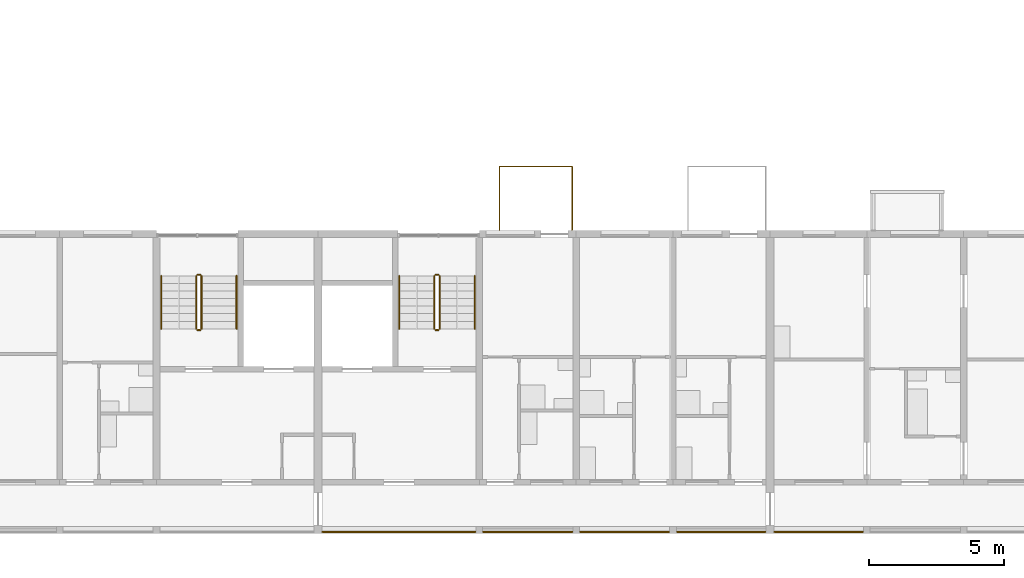
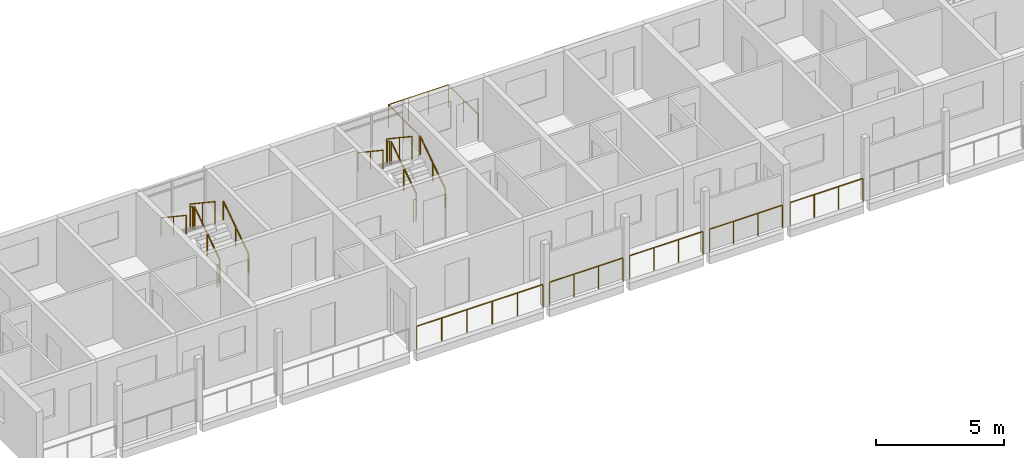
# One storey, part 88 of 99: 18 railings.
"""IFC4 building model written with IfcOpenShell, lengths in metres."""

from ifc_helpers import new_model, si_unit, direction, frame, origin, origin_2d, place, context, subcontext, project, spatial, circle, extrude, material, type_object, element, save


model = new_model("IFC4")

# Units and contexts
model_context = context("Model", 3, precision=1e-05, world=origin(), true_north=direction((0.0, 1.0)))
body_context = subcontext(model_context, "Body", "Model", "MODEL_VIEW")
ifc_project = project(units=[si_unit("LENGTHUNIT", "METRE"), si_unit("AREAUNIT", "SQUARE_METRE"), si_unit("VOLUMEUNIT", "CUBIC_METRE"), si_unit("PLANEANGLEUNIT", "RADIAN"), si_unit("MASSUNIT", "GRAM", prefix="KILO")], contexts=[model_context])

# Site, building, storey
site_placement = place(None, origin())
site = spatial("IfcSite", under=ifc_project, at=site_placement, CompositionType="ELEMENT")
building_placement = place(site_placement, origin())
building = spatial("IfcBuilding", under=site, at=building_placement, Name="Ridgestep Commons", CompositionType="ELEMENT")
storey_placement = place(building_placement, frame((0.0, 0.0, 15.0)))
storey = spatial("IfcBuildingStorey", under=building, at=storey_placement, Name="L05", CompositionType="ELEMENT", Elevation=15.0)

# Railings
ifc_material_1 = material(Name="Structural steel S355JR", Category="steel")
railing_type_1 = type_object("IfcRailingType", Name="Guard 1100", PredefinedType="GUARDRAIL", material=ifc_material_1)
railing_1_placement = place(storey_placement, frame((163.77099609375, 11.800048828125, 0.0)))
element("IfcRailing", 1, at=railing_1_placement, inside=storey, type_object=railing_type_1, Name="Gallery guard D 05.5", PredefinedType="GUARDRAIL", context=body_context, shape_type="SweptSolid", body=[
    extrude(circle(Radius=0.02392578125, at=origin_2d()), frame((0.0, 0.0, 1.076171875), z_axis=(1.0, 0.0, 0.0), x_axis=(0.0, 1.0, 0.0)), (0.0, 0.0, 1.0), 5.68310546875),
    extrude(circle(Radius=0.02099609375, at=origin_2d()), origin(), (0.0, 0.0, 1.0), 1.052001953125),
    extrude(circle(Radius=0.02099609375, at=origin_2d()), frame((1.13671875, 0.0, 0.0)), (0.0, 0.0, 1.0), 1.052001953125),
    extrude(circle(Radius=0.02099609375, at=origin_2d()), frame((2.273193359375, 0.0, 0.0)), (0.0, 0.0, 1.0), 1.052001953125),
    extrude(circle(Radius=0.02099609375, at=origin_2d()), frame((3.409912109375, 0.0, 0.0)), (0.0, 0.0, 1.0), 1.052001953125),
    extrude(circle(Radius=0.02099609375, at=origin_2d()), frame((4.54638671875, 0.0, 0.0)), (0.0, 0.0, 1.0), 1.052001953125),
    extrude(circle(Radius=0.02099609375, at=origin_2d()), frame((5.68310546875, 0.0, 0.0)), (0.0, 0.0, 1.0), 1.052001953125),
])
railing_2_placement = place(storey_placement, frame((169.74609375, 11.800048828125, 0.0)))
element("IfcRailing", 2, at=railing_2_placement, inside=storey, type_object=railing_type_1, Name="Gallery guard D 05.6", PredefinedType="GUARDRAIL", context=body_context, shape_type="SweptSolid", body=[
    extrude(circle(Radius=0.02392578125, at=origin_2d()), frame((0.0, 0.0, 1.076171875), z_axis=(1.0, 0.0, 0.0), x_axis=(0.0, 1.0, 0.0)), (0.0, 0.0, 1.0), 3.307861328125),
    extrude(circle(Radius=0.02099609375, at=origin_2d()), origin(), (0.0, 0.0, 1.0), 1.052001953125),
    extrude(circle(Radius=0.02099609375, at=origin_2d()), frame((1.1025390625, 0.0, 0.0)), (0.0, 0.0, 1.0), 1.052001953125),
    extrude(circle(Radius=0.02099609375, at=origin_2d()), frame((2.205322265625, 0.0, 0.0)), (0.0, 0.0, 1.0), 1.052001953125),
    extrude(circle(Radius=0.02099609375, at=origin_2d()), frame((3.307861328125, 0.0, 0.0)), (0.0, 0.0, 1.0), 1.052001953125),
])
railing_3_placement = place(storey_placement, frame((173.345947265625, 11.800048828125, 0.0)))
element("IfcRailing", 3, at=railing_3_placement, inside=storey, type_object=railing_type_1, Name="Gallery guard D 05.7", PredefinedType="GUARDRAIL", context=body_context, shape_type="SweptSolid", body=[
    extrude(circle(Radius=0.02392578125, at=origin_2d()), frame((0.0, 0.0, 1.076171875), z_axis=(1.0, 0.0, 0.0), x_axis=(0.0, 1.0, 0.0)), (0.0, 0.0, 1.0), 3.30810546875),
    extrude(circle(Radius=0.02099609375, at=origin_2d()), origin(), (0.0, 0.0, 1.0), 1.052001953125),
    extrude(circle(Radius=0.02099609375, at=origin_2d()), frame((1.102783203125, 0.0, 0.0)), (0.0, 0.0, 1.0), 1.052001953125),
    extrude(circle(Radius=0.02099609375, at=origin_2d()), frame((2.205322265625, 0.0, 0.0)), (0.0, 0.0, 1.0), 1.052001953125),
    extrude(circle(Radius=0.02099609375, at=origin_2d()), frame((3.30810546875, 0.0, 0.0)), (0.0, 0.0, 1.0), 1.052001953125),
])
for number, where, name in (
    (4, (176.946044921875, 11.800048828125, 0.0), "Gallery guard D 05.8"),
    (5, (180.571044921875, 11.800048828125, 0.0), "Gallery guard D 05.9"),
):
    element("IfcRailing", number, at=place(storey_placement, frame(where)), inside=storey, type_object=railing_type_1, Name=name, PredefinedType="GUARDRAIL", context=body_context, shape_type="SweptSolid", body=[
        extrude(circle(Radius=0.02392578125, at=origin_2d()), frame((0.0, 0.0, 1.076171875), z_axis=(1.0, 0.0, 0.0), x_axis=(0.0, 1.0, 0.0)), (0.0, 0.0, 1.0), 3.282958984375),
        extrude(circle(Radius=0.02099609375, at=origin_2d()), origin(), (0.0, 0.0, 1.0), 1.052001953125),
        extrude(circle(Radius=0.02099609375, at=origin_2d()), frame((1.09423828125, 0.0, 0.0)), (0.0, 0.0, 1.0), 1.052001953125),
        extrude(circle(Radius=0.02099609375, at=origin_2d()), frame((2.188720703125, 0.0, 0.0)), (0.0, 0.0, 1.0), 1.052001953125),
        extrude(circle(Radius=0.02099609375, at=origin_2d()), frame((3.282958984375, 0.0, 0.0)), (0.0, 0.0, 1.0), 1.052001953125),
    ])
ifc_material_2 = material(Name="Structural steel S355JR", Category="steel")
railing_type_2 = type_object("IfcRailingType", Name="Stair guard 1100", PredefinedType="GUARDRAIL", material=ifc_material_2)
railing_4_placement = place(storey_placement, frame((159.27490234375, 19.35009765625, 0.1875)))
element("IfcRailing", 6, at=railing_4_placement, inside=storey, type_object=railing_type_2, Name="L05 D1C stair guard 1", PredefinedType="GUARDRAIL", context=body_context, shape_type="SweptSolid", body=[
    extrude(circle(Radius=0.02392578125, at=origin_2d()), frame((0.0, 0.0, 1.076171875), z_axis=(0.0, 0.830902050051, 0.556418712142), x_axis=(-1.0, 0.0, 0.0)), (0.0, 0.0, 1.0), 2.35888671875),
    extrude(circle(Radius=0.02099609375, at=origin_2d()), origin(), (0.0, 0.0, 1.0), 1.052001953125),
    extrude(circle(Radius=0.02099609375, at=origin_2d()), frame((0.0, 0.97998046875, 0.65625)), (0.0, 0.0, 1.0), 1.052001953125),
    extrude(circle(Radius=0.02099609375, at=origin_2d()), frame((0.0, 1.9599609375, 1.3125)), (0.0, 0.0, 1.0), 1.052001953125),
])
railing_5_placement = place(storey_placement, frame((159.22509765625, 21.360107421875, 1.5)))
element("IfcRailing", 7, at=railing_5_placement, inside=storey, type_object=railing_type_2, Name="L05 D1C stair guard 2", PredefinedType="GUARDRAIL", context=body_context, shape_type="SweptSolid", body=[
    extrude(circle(Radius=0.02392578125, at=origin_2d()), frame((0.0, 0.0, 1.076171875), z_axis=(-1.0, 0.0, 0.0), x_axis=(0.0, -1.0, 0.0)), (0.0, 0.0, 1.0), 0.10009765625),
    extrude(circle(Radius=0.02099609375, at=origin_2d()), origin(), (0.0, 0.0, 1.0), 1.052001953125),
    extrude(circle(Radius=0.02099609375, at=origin_2d()), frame((-0.10009765625, 0.0, 0.0)), (0.0, 0.0, 1.0), 1.052001953125),
])
railing_6_placement = place(storey_placement, frame((159.074951171875, 21.31005859375, 1.6875)))
element("IfcRailing", 8, at=railing_6_placement, inside=storey, type_object=railing_type_2, Name="L05 D1C stair guard 3", PredefinedType="GUARDRAIL", context=body_context, shape_type="SweptSolid", body=[
    extrude(circle(Radius=0.02392578125, at=origin_2d()), frame((0.0, 0.0, 1.076171875), z_axis=(0.0, -0.830902050051, 0.556418712142), x_axis=(1.0, 0.0, 0.0)), (0.0, 0.0, 1.0), 2.35888671875),
    extrude(circle(Radius=0.02099609375, at=origin_2d()), origin(), (0.0, 0.0, 1.0), 1.052001953125),
    extrude(circle(Radius=0.02099609375, at=origin_2d()), frame((0.0, -0.97998046875, 0.65625)), (0.0, 0.0, 1.0), 1.052001953125),
    extrude(circle(Radius=0.02099609375, at=origin_2d()), frame((0.0, -1.9599609375, 1.3125)), (0.0, 0.0, 1.0), 1.052001953125),
])
railing_7_placement = place(storey_placement, frame((159.22509765625, 19.300048828125, 0.0)))
element("IfcRailing", 9, at=railing_7_placement, inside=storey, type_object=railing_type_2, Name="L05 D1C stair guard 4", PredefinedType="GUARDRAIL", context=body_context, shape_type="SweptSolid", body=[
    extrude(circle(Radius=0.02392578125, at=origin_2d()), frame((0.0, 0.0, 1.076171875), z_axis=(-1.0, 0.0, 0.0), x_axis=(0.0, -1.0, 0.0)), (0.0, 0.0, 1.0), 0.10009765625),
    extrude(circle(Radius=0.02099609375, at=origin_2d()), origin(), (0.0, 0.0, 1.0), 1.052001953125),
    extrude(circle(Radius=0.02099609375, at=origin_2d()), frame((-0.10009765625, 0.0, 0.0)), (0.0, 0.0, 1.0), 1.052001953125),
])
railing_8_placement = place(storey_placement, frame((168.125, 19.35009765625, 0.1875)))
element("IfcRailing", 10, at=railing_8_placement, inside=storey, type_object=railing_type_2, Name="L05 D2C stair guard 1", PredefinedType="GUARDRAIL", context=body_context, shape_type="SweptSolid", body=[
    extrude(circle(Radius=0.02392578125, at=origin_2d()), frame((0.0, 0.0, 1.076171875), z_axis=(0.0, 0.830902050051, 0.556418712142), x_axis=(-1.0, 0.0, 0.0)), (0.0, 0.0, 1.0), 2.35888671875),
    extrude(circle(Radius=0.02099609375, at=origin_2d()), origin(), (0.0, 0.0, 1.0), 1.052001953125),
    extrude(circle(Radius=0.02099609375, at=origin_2d()), frame((0.0, 0.97998046875, 0.65625)), (0.0, 0.0, 1.0), 1.052001953125),
    extrude(circle(Radius=0.02099609375, at=origin_2d()), frame((0.0, 1.9599609375, 1.3125)), (0.0, 0.0, 1.0), 1.052001953125),
])
railing_9_placement = place(storey_placement, frame((168.074951171875, 21.360107421875, 1.5)))
element("IfcRailing", 11, at=railing_9_placement, inside=storey, type_object=railing_type_2, Name="L05 D2C stair guard 2", PredefinedType="GUARDRAIL", context=body_context, shape_type="SweptSolid", body=[
    extrude(circle(Radius=0.02392578125, at=origin_2d()), frame((0.0, 0.0, 1.076171875), z_axis=(-1.0, 0.0, 0.0), x_axis=(0.0, -1.0, 0.0)), (0.0, 0.0, 1.0), 0.099853515625),
    extrude(circle(Radius=0.02099609375, at=origin_2d()), origin(), (0.0, 0.0, 1.0), 1.052001953125),
    extrude(circle(Radius=0.02099609375, at=origin_2d()), frame((-0.099853515625, 0.0, 0.0)), (0.0, 0.0, 1.0), 1.052001953125),
])
railing_10_placement = place(storey_placement, frame((167.925048828125, 21.31005859375, 1.6875)))
element("IfcRailing", 12, at=railing_10_placement, inside=storey, type_object=railing_type_2, Name="L05 D2C stair guard 3", PredefinedType="GUARDRAIL", context=body_context, shape_type="SweptSolid", body=[
    extrude(circle(Radius=0.02392578125, at=origin_2d()), frame((0.0, 0.0, 1.076171875), z_axis=(0.0, -0.830902050051, 0.556418712142), x_axis=(1.0, 0.0, 0.0)), (0.0, 0.0, 1.0), 2.35888671875),
    extrude(circle(Radius=0.02099609375, at=origin_2d()), origin(), (0.0, 0.0, 1.0), 1.052001953125),
    extrude(circle(Radius=0.02099609375, at=origin_2d()), frame((0.0, -0.97998046875, 0.65625)), (0.0, 0.0, 1.0), 1.052001953125),
    extrude(circle(Radius=0.02099609375, at=origin_2d()), frame((0.0, -1.9599609375, 1.3125)), (0.0, 0.0, 1.0), 1.052001953125),
])
railing_11_placement = place(storey_placement, frame((168.074951171875, 19.300048828125, 0.0)))
element("IfcRailing", 13, at=railing_11_placement, inside=storey, type_object=railing_type_2, Name="L05 D2C stair guard 4", PredefinedType="GUARDRAIL", context=body_context, shape_type="SweptSolid", body=[
    extrude(circle(Radius=0.02392578125, at=origin_2d()), frame((0.0, 0.0, 1.076171875), z_axis=(-1.0, 0.0, 0.0), x_axis=(0.0, -1.0, 0.0)), (0.0, 0.0, 1.0), 0.099853515625),
    extrude(circle(Radius=0.02099609375, at=origin_2d()), origin(), (0.0, 0.0, 1.0), 1.052001953125),
    extrude(circle(Radius=0.02099609375, at=origin_2d()), frame((-0.099853515625, 0.0, 0.0)), (0.0, 0.0, 1.0), 1.052001953125),
])
ifc_material_3 = material(Name="Structural steel S355JR", Category="steel")
railing_type_3 = type_object("IfcRailingType", Name="Stair handrail 900", PredefinedType="HANDRAIL", material=ifc_material_3)
railing_12_placement = place(storey_placement, frame((160.574951171875, 19.35009765625, 0.1875)))
element("IfcRailing", 14, at=railing_12_placement, inside=storey, type_object=railing_type_3, Name="L05 D1C stair handrail 1", PredefinedType="HANDRAIL", context=body_context, shape_type="SweptSolid", body=[
    extrude(circle(Radius=0.02392578125, at=origin_2d()), frame((0.0, 0.0, 0.8759765625), z_axis=(0.0, 0.830902050051, 0.556418712142), x_axis=(-1.0, 0.0, 0.0)), (0.0, 0.0, 1.0), 2.35888671875),
    extrude(circle(Radius=0.02099609375, at=origin_2d()), origin(), (0.0, 0.0, 1.0), 0.851806640625),
    extrude(circle(Radius=0.02099609375, at=origin_2d()), frame((0.0, 0.97998046875, 0.65625)), (0.0, 0.0, 1.0), 0.851806640625),
    extrude(circle(Radius=0.02099609375, at=origin_2d()), frame((0.0, 1.9599609375, 1.3125)), (0.0, 0.0, 1.0), 0.851806640625),
])
railing_13_placement = place(storey_placement, frame((157.77490234375, 21.31005859375, 1.6875)))
element("IfcRailing", 15, at=railing_13_placement, inside=storey, type_object=railing_type_3, Name="L05 D1C stair handrail 2", PredefinedType="HANDRAIL", context=body_context, shape_type="SweptSolid", body=[
    extrude(circle(Radius=0.02392578125, at=origin_2d()), frame((0.0, 0.0, 0.8759765625), z_axis=(0.0, -0.830902050051, 0.556418712142), x_axis=(1.0, 0.0, 0.0)), (0.0, 0.0, 1.0), 2.35888671875),
    extrude(circle(Radius=0.02099609375, at=origin_2d()), origin(), (0.0, 0.0, 1.0), 0.851806640625),
    extrude(circle(Radius=0.02099609375, at=origin_2d()), frame((0.0, -0.97998046875, 0.65625)), (0.0, 0.0, 1.0), 0.851806640625),
    extrude(circle(Radius=0.02099609375, at=origin_2d()), frame((0.0, -1.9599609375, 1.3125)), (0.0, 0.0, 1.0), 0.851806640625),
])
railing_14_placement = place(storey_placement, frame((169.425048828125, 19.35009765625, 0.1875)))
element("IfcRailing", 16, at=railing_14_placement, inside=storey, type_object=railing_type_3, Name="L05 D2C stair handrail 1", PredefinedType="HANDRAIL", context=body_context, shape_type="SweptSolid", body=[
    extrude(circle(Radius=0.02392578125, at=origin_2d()), frame((0.0, 0.0, 0.8759765625), z_axis=(0.0, 0.830902050051, 0.556418712142), x_axis=(-1.0, 0.0, 0.0)), (0.0, 0.0, 1.0), 2.35888671875),
    extrude(circle(Radius=0.02099609375, at=origin_2d()), origin(), (0.0, 0.0, 1.0), 0.851806640625),
    extrude(circle(Radius=0.02099609375, at=origin_2d()), frame((0.0, 0.97998046875, 0.65625)), (0.0, 0.0, 1.0), 0.851806640625),
    extrude(circle(Radius=0.02099609375, at=origin_2d()), frame((0.0, 1.9599609375, 1.3125)), (0.0, 0.0, 1.0), 0.851806640625),
])
railing_15_placement = place(storey_placement, frame((166.625, 21.31005859375, 1.6875)))
element("IfcRailing", 17, at=railing_15_placement, inside=storey, type_object=railing_type_3, Name="L05 D2C stair handrail 2", PredefinedType="HANDRAIL", context=body_context, shape_type="SweptSolid", body=[
    extrude(circle(Radius=0.02392578125, at=origin_2d()), frame((0.0, 0.0, 0.8759765625), z_axis=(0.0, -0.830902050051, 0.556418712142), x_axis=(1.0, 0.0, 0.0)), (0.0, 0.0, 1.0), 2.35888671875),
    extrude(circle(Radius=0.02099609375, at=origin_2d()), origin(), (0.0, 0.0, 1.0), 0.851806640625),
    extrude(circle(Radius=0.02099609375, at=origin_2d()), frame((0.0, -0.97998046875, 0.65625)), (0.0, 0.0, 1.0), 0.851806640625),
    extrude(circle(Radius=0.02099609375, at=origin_2d()), frame((0.0, -1.9599609375, 1.3125)), (0.0, 0.0, 1.0), 0.851806640625),
])
ifc_material_4 = material(Name="Weathering steel S355J2W", Category="steel")
railing_type_4 = type_object("IfcRailingType", Name="Tray guard 1100", PredefinedType="GUARDRAIL", material=ifc_material_4)
railing_16_placement = place(storey_placement, frame((170.35107421875, 23.02099609375, 0.0)))
element("IfcRailing", 18, at=railing_16_placement, inside=storey, type_object=railing_type_4, Name="Tray guard D2T3-05", PredefinedType="GUARDRAIL", context=body_context, shape_type="SweptSolid", body=[
    extrude(circle(Radius=0.02392578125, at=origin_2d()), frame((0.0, 0.0, 1.076171875), z_axis=(0.0, 1.0, 0.0), x_axis=(-1.0, 0.0, 0.0)), (0.0, 0.0, 1.0), 2.35791015625),
    extrude(circle(Radius=0.02392578125, at=origin_2d()), frame((0.0, 2.35791015625, 1.076171875), z_axis=(1.0, 0.0, 0.0), x_axis=(0.0, 1.0, 0.0)), (0.0, 0.0, 1.0), 2.697998046875),
    extrude(circle(Radius=0.02392578125, at=origin_2d()), frame((2.697998046875, 2.35791015625, 1.076171875), z_axis=(0.0, -1.0, 0.0), x_axis=(1.0, 0.0, 0.0)), (0.0, 0.0, 1.0), 2.35791015625),
    extrude(circle(Radius=0.02099609375, at=origin_2d()), origin(), (0.0, 0.0, 1.0), 1.052001953125),
    extrude(circle(Radius=0.02099609375, at=origin_2d()), frame((0.0, 1.178955078125, 0.0)), (0.0, 0.0, 1.0), 1.052001953125),
    extrude(circle(Radius=0.02099609375, at=origin_2d()), frame((0.0, 2.35791015625, 0.0)), (0.0, 0.0, 1.0), 1.052001953125),
    extrude(circle(Radius=0.02099609375, at=origin_2d()), frame((0.8994140625, 2.35791015625, 0.0)), (0.0, 0.0, 1.0), 1.052001953125),
    extrude(circle(Radius=0.02099609375, at=origin_2d()), frame((1.798583984375, 2.35791015625, 0.0)), (0.0, 0.0, 1.0), 1.052001953125),
    extrude(circle(Radius=0.02099609375, at=origin_2d()), frame((2.697998046875, 2.35791015625, 0.0)), (0.0, 0.0, 1.0), 1.052001953125),
    extrude(circle(Radius=0.02099609375, at=origin_2d()), frame((2.697998046875, 1.178955078125, 0.0)), (0.0, 0.0, 1.0), 1.052001953125),
    extrude(circle(Radius=0.02099609375, at=origin_2d()), frame((2.697998046875, 0.0, 0.0)), (0.0, 0.0, 1.0), 1.052001953125),
])

save(model, "model.ifc")
